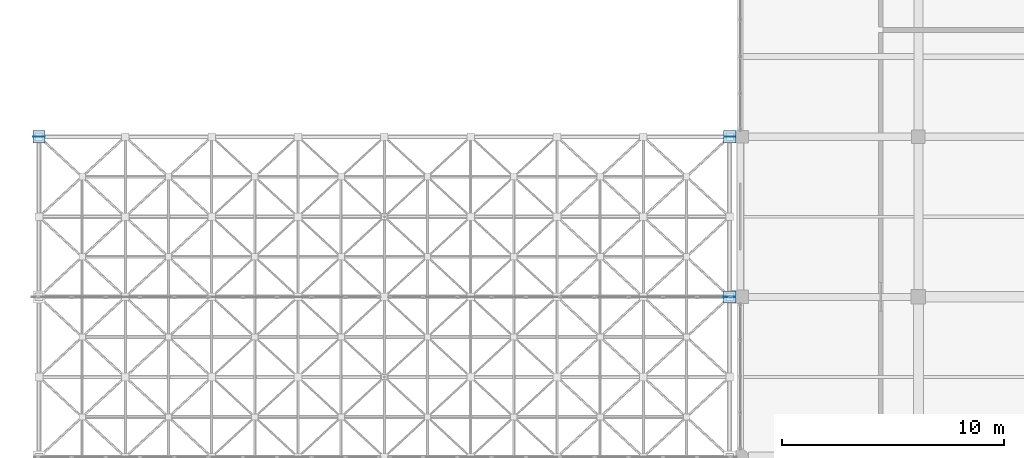
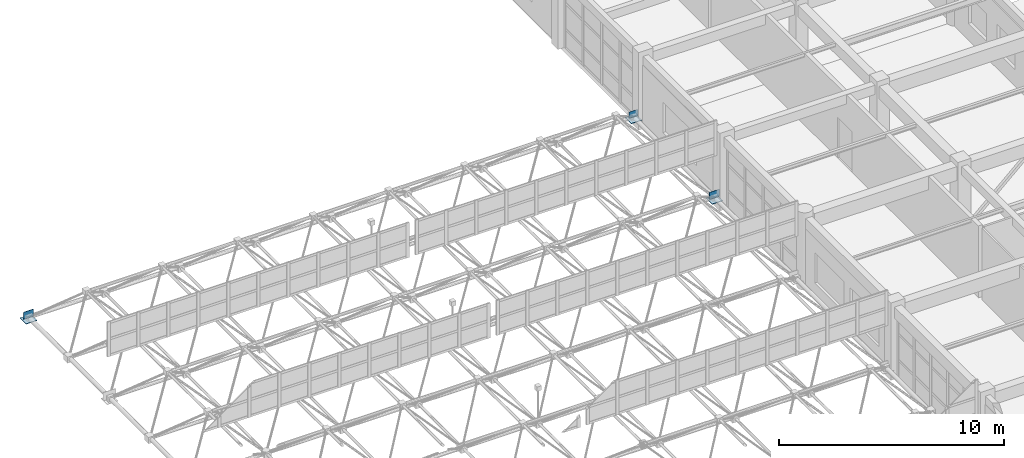
# One storey, part 161 of 195: 6 plates.
"""IFC4 building model written with IfcOpenShell, lengths in metres."""

from ifc_helpers import new_model, si_unit, direction, frame, origin, origin_2d, place, context, subcontext, project, spatial, rectangle, extrude, material, type_object, element, save


model = new_model("IFC4")

# Units and contexts
model_context = context("Model", 3, precision=1e-05, world=origin(), true_north=direction((0.0, 1.0)))
body_context = subcontext(model_context, "Body", "Model", "MODEL_VIEW")
ifc_project = project(units=[si_unit("LENGTHUNIT", "METRE"), si_unit("AREAUNIT", "SQUARE_METRE"), si_unit("VOLUMEUNIT", "CUBIC_METRE"), si_unit("PLANEANGLEUNIT", "RADIAN"), si_unit("MASSUNIT", "GRAM", prefix="KILO")], contexts=[model_context])

# Site, building, storey
site_placement = place(None, origin())
site = spatial("IfcSite", under=ifc_project, at=site_placement, CompositionType="ELEMENT")
building_placement = place(site_placement, origin())
building = spatial("IfcBuilding", under=site, at=building_placement, Name="Kharva Crest Polytechnic", CompositionType="ELEMENT")
storey_placement = place(building_placement, frame((0.0, 0.0, 9.0)))
storey = spatial("IfcBuildingStorey", under=building, at=storey_placement, Name="L02", CompositionType="ELEMENT", Elevation=9.0)

# Plates
ifc_material = material(Name="Steel S355", Category="steel")
plate_type_1 = type_object("IfcPlateType", Name="PLT-BASE-550X550X28", PredefinedType="USERDEFINED", material=ifc_material)
for number, where, z_axis, x_axis, name in (
    (1, (0.47998046875, 93.199951171875, 0.4658203125), (0.0, 0.0, 1.0), (1.0, 0.0, 0.0), "Space Frame Bearing Seat Plate 0-14"),
    (2, (31.52001953125, 86.0, 0.4658203125), (0.0, 0.0, 1.0), (1.0, 0.0, 0.0), "Space Frame Bearing Seat Plate 8-12"),
    (3, (31.52001953125, 93.199951171875, 0.4658203125), (0.0, 0.0, 1.0), (1.0, 0.0, 0.0), "Space Frame Bearing Seat Plate 8-14"),
):
    element("IfcPlate", number, at=place(storey_placement, frame(where, z_axis=z_axis, x_axis=x_axis)), inside=storey, type_object=plate_type_1, Name=name, ObjectType="BASE PLATE", PredefinedType="USERDEFINED", context=body_context, shape_type="SweptSolid", body=[
        extrude(rectangle(XDim=0.550048828125, YDim=0.550048828125, at=origin_2d()), origin(), (0.0, 0.0, 1.0), 0.028076171875),
    ])
plate_type_2 = type_object("IfcPlateType", Name="PLT-GUS-440X330X14", PredefinedType="USERDEFINED", material=ifc_material)
plate_placement = place(storey_placement, frame((31.52001953125, 93.199951171875, 0.594970703125), z_axis=(0.0, 0.0, 1.0), x_axis=(1.0, 0.0, 0.0)))
element("IfcPlate", 4, at=plate_placement, inside=storey, type_object=plate_type_2, Name="Space Frame Node Gusset Plate 8-14", ObjectType="GUSSET PLATE", PredefinedType="USERDEFINED", context=body_context, shape_type="SweptSolid", body=[
    extrude(rectangle(XDim=0.43994140625, YDim=0.013916015625, at=origin_2d()), origin(), (0.0, 0.0, 1.0), 0.330078125),
])
plate_type_3 = type_object("IfcPlateType", Name="PLT-GUS-520X380X16", PredefinedType="USERDEFINED", material=ifc_material)
for number, where, z_axis, x_axis, name in (
    (5, (0.47998046875, 93.199951171875, 0.570068359375), (0.0, 0.0, 1.0), (1.0, 0.0, 0.0), "Space Frame Node Gusset Plate 0-14"),
    (6, (31.52001953125, 86.0, 0.570068359375), (0.0, 0.0, 1.0), (1.0, 0.0, 0.0), "Space Frame Node Gusset Plate 8-12"),
):
    element("IfcPlate", number, at=place(storey_placement, frame(where, z_axis=z_axis, x_axis=x_axis)), inside=storey, type_object=plate_type_3, Name=name, ObjectType="GUSSET PLATE", PredefinedType="USERDEFINED", context=body_context, shape_type="SweptSolid", body=[
        extrude(rectangle(XDim=0.52001953125, YDim=0.01611328125, at=origin_2d()), origin(), (0.0, 0.0, 1.0), 0.3798828125),
    ])

save(model, "model.ifc")
